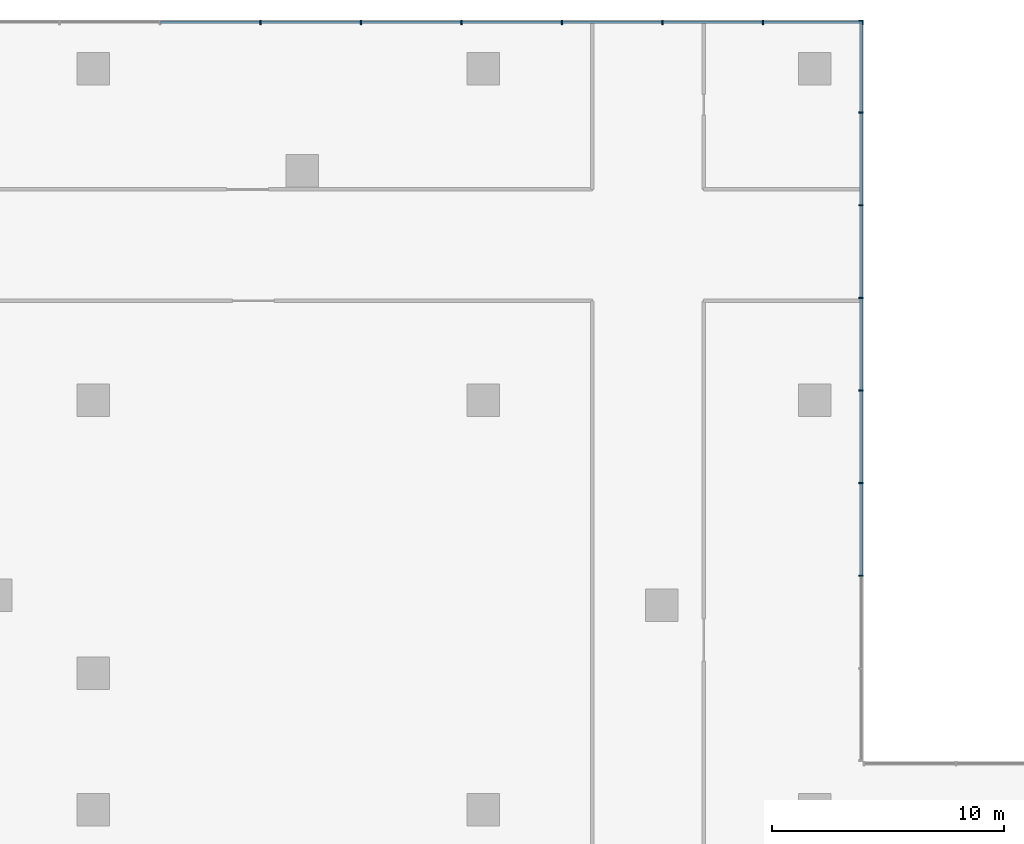
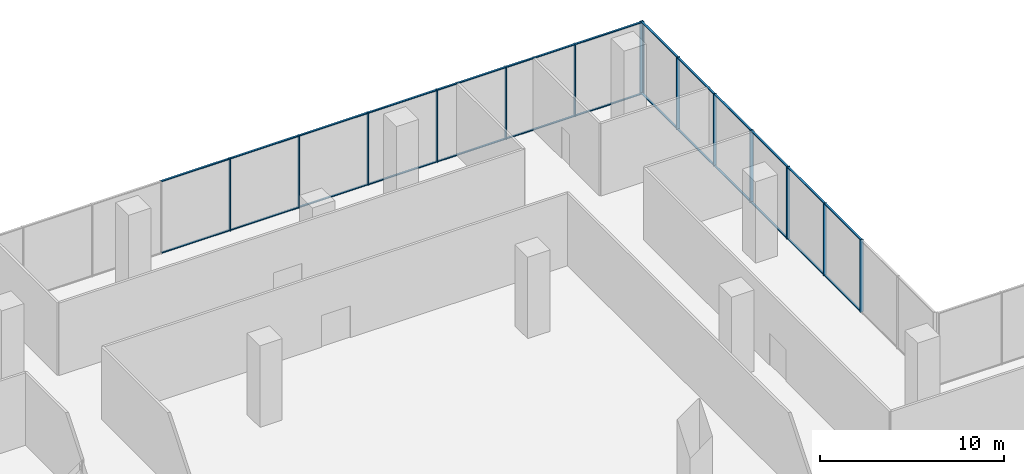
# One storey, part 10 of 22: 40 members, 2 elements without a shape of their own.
"""IFC4 building model written with IfcOpenShell, lengths in metres."""

import ifcopenshell
import ifcopenshell.guid

model = None  # the IFC model being written
_history = None  # IfcOwnerHistory: only IFC2X3 demands one
_inside = {}  # id of a spatial element -> (the spatial element, [elements in it])
_under = {}  # id of a project, library or spatial element -> (it, [spatial elements below it])
_declared = {}  # id of a project -> (the project, [libraries it declares])
_typed = {}  # id of a type object -> (the type object, [elements of that type])
_made_of = {}  # id of a material, layer set ... -> (it, [elements and type objects made of it])


def new_model(schema):
    """Start an empty IFC model of exactly this schema.

    Asked for "IFC4X3", IfcOpenShell would pick the latest addendum, in which some entities
    have other attributes; the version numbers below select the first issue.
    IFC2X3 requires an IfcOwnerHistory on every rooted entity: one is made here for all.
    """
    global model, _history
    if schema == "IFC4X3":
        model = ifcopenshell.file(schema_version=(4, 3, 0, 0))
    else:
        model = ifcopenshell.file(schema=schema)
    _inside.clear()
    _under.clear()
    _declared.clear()
    _typed.clear()
    _made_of.clear()
    _history = None
    if model.schema == "IFC2X3":
        org = make("IfcOrganization", Name="unknown")
        user = make(
            "IfcPersonAndOrganization",
            ThePerson=make("IfcPerson", FamilyName="unknown"),
            TheOrganization=org,
        )
        app = make(
            "IfcApplication",
            ApplicationDeveloper=org,
            Version="unknown",
            ApplicationFullName="unknown",
            ApplicationIdentifier="unknown",
        )
        _history = make(
            "IfcOwnerHistory",
            OwningUser=user,
            OwningApplication=app,
            ChangeAction="ADDED",
            CreationDate=0,
        )
    return model


def make(cls, **values):
    """One entity of the class cls with the attributes given. An attribute that is None is left unset."""
    return model.create_entity(
        cls, **{name: value for name, value in values.items() if value is not None}
    )


def rooted(cls, **values):
    """An entity with a GlobalId (a new one), such as an element, a storey or a relation."""
    return make(cls, GlobalId=ifcopenshell.guid.new(), OwnerHistory=_history, **values)


def si_unit(unit_type, name, prefix=None):
    """IfcSIUnit, for example si_unit("LENGTHUNIT", "METRE", prefix="MILLI")."""
    return make("IfcSIUnit", UnitType=unit_type, Prefix=prefix, Name=name)


def assignment(units):
    """IfcUnitAssignment: the units of a project."""
    return None if units is None else make("IfcUnitAssignment", Units=units)


def point(xyz):
    """IfcCartesianPoint."""
    return None if xyz is None else make("IfcCartesianPoint", Coordinates=xyz)


def direction(xyz):
    """IfcDirection."""
    return None if xyz is None else make("IfcDirection", DirectionRatios=xyz)


def frame(location, z_axis=None, x_axis=None):
    """IfcAxis2Placement3D, a coordinate frame: its origin and axes. An axis left out is left unset."""
    return make(
        "IfcAxis2Placement3D",
        Location=point(location),
        Axis=direction(z_axis),
        RefDirection=direction(x_axis),
    )


def frame_2d(location, x_axis=None):
    """IfcAxis2Placement2D, a coordinate frame in the plane: its origin and x axis."""
    return make(
        "IfcAxis2Placement2D", Location=point(location), RefDirection=direction(x_axis)
    )


def origin():
    """The frame at (0, 0, 0) with its axes left unset."""
    return frame((0.0, 0.0, 0.0))


def origin_2d():
    """The frame at (0, 0) in the plane with its x axis left unset."""
    return frame_2d((0.0, 0.0))


def place(relative_to, where):
    """IfcLocalPlacement: puts the frame where relative to a parent placement (None: the world)."""
    return make(
        "IfcLocalPlacement", PlacementRelTo=relative_to, RelativePlacement=where
    )


def context(
    kind, dimensions, precision=None, world=None, true_north=None, identifier=None
):
    """IfcGeometricRepresentationContext, for example the 3D "Model" context."""
    return make(
        "IfcGeometricRepresentationContext",
        ContextIdentifier=identifier,
        ContextType=kind,
        CoordinateSpaceDimension=dimensions,
        Precision=precision,
        WorldCoordinateSystem=world,
        TrueNorth=true_north,
    )


def subcontext(parent, identifier, kind, view, scale=None):
    """IfcGeometricRepresentationSubContext, for example "Body" below "Model"."""
    return make(
        "IfcGeometricRepresentationSubContext",
        ContextIdentifier=identifier,
        ContextType=kind,
        ParentContext=parent,
        TargetScale=scale,
        TargetView=view,
    )


def project(units=None, contexts=None):
    """IfcProject with its units and contexts."""
    return rooted(
        "IfcProject",
        Name="project",
        RepresentationContexts=contexts,
        UnitsInContext=assignment(units),
    )


def spatial(cls, under=None, at=None, **own):
    """A site, building, storey or space (cls), placed at a placement, below another one or the project."""
    s = rooted(cls, ObjectPlacement=at, **own)
    if under is not None:
        _under.setdefault(under.id(), (under, []))[1].append(s)
    return s


def profile(cls, at=None, kind="AREA", **sizes):
    """A parametric profile (cls). Its sizes go by their IFC names, for example OverallWidth=200.0."""
    return make(cls, ProfileType=kind, Position=at, **sizes)


def rectangle(**sizes):
    """IfcRectangleProfileDef."""
    return profile("IfcRectangleProfileDef", **sizes)


def extrude(swept, where, along, depth):
    """IfcExtrudedAreaSolid: the profile swept, set in the frame where, extruded along a direction by depth."""
    return make(
        "IfcExtrudedAreaSolid",
        SweptArea=swept,
        Position=where,
        ExtrudedDirection=direction(along),
        Depth=depth,
    )


def shape(context_of_items, identifier, shape_type, items):
    """IfcShapeRepresentation: the items that make up one representation, for example the "Body"."""
    return make(
        "IfcShapeRepresentation",
        ContextOfItems=context_of_items,
        RepresentationIdentifier=identifier,
        RepresentationType=shape_type,
        Items=items,
    )


def source(mapping_origin, context_of_items, identifier, shape_type, items):
    """IfcRepresentationMap: a shape defined once, which mapped items show again and again."""
    return make(
        "IfcRepresentationMap",
        MappingOrigin=mapping_origin,
        MappedRepresentation=shape(context_of_items, identifier, shape_type, items),
    )


def transform(
    local_origin,
    x_axis=None,
    y_axis=None,
    z_axis=None,
    scale=None,
    scale2=None,
    scale3=None,
    uniform=True,
):
    """IfcCartesianTransformationOperator3D, or its non-uniform kind. x_axis, y_axis, z_axis: its Axis1, 2, 3."""
    if uniform:
        return make(
            "IfcCartesianTransformationOperator3D",
            Axis1=direction(x_axis),
            Axis2=direction(y_axis),
            LocalOrigin=point(local_origin),
            Scale=scale,
            Axis3=direction(z_axis),
        )
    return make(
        "IfcCartesianTransformationOperator3DnonUniform",
        Axis1=direction(x_axis),
        Axis2=direction(y_axis),
        LocalOrigin=point(local_origin),
        Scale=scale,
        Axis3=direction(z_axis),
        Scale2=scale2,
        Scale3=scale3,
    )


def mapped(mapping_source, mapping_target):
    """IfcMappedItem: shows the shape of a source again, moved by a transform."""
    return make(
        "IfcMappedItem", MappingSource=mapping_source, MappingTarget=mapping_target
    )


def material(Name=None, Category=None):
    """IfcMaterial."""
    return make("IfcMaterial", Name=Name, Category=Category)


def layer(
    of_material, thickness, ventilated=None, Name=None, Category=None, Priority=None
):
    """IfcMaterialLayer: one layer of a wall or slab, of a material (None: an air gap)."""
    return make(
        "IfcMaterialLayer",
        Material=of_material,
        LayerThickness=thickness,
        IsVentilated=ventilated,
        Name=Name,
        Category=Category,
        Priority=Priority,
    )


def layer_set(layers, Name=None):
    """IfcMaterialLayerSet."""
    return make("IfcMaterialLayerSet", MaterialLayers=layers, LayerSetName=Name)


def material_profile(
    of_material, cross_section, Name=None, Category=None, Priority=None
):
    """IfcMaterialProfile: a cross section and its material."""
    return make(
        "IfcMaterialProfile",
        Name=Name,
        Material=of_material,
        Profile=cross_section,
        Priority=Priority,
        Category=Category,
    )


def profile_set(profiles, Name=None, composite=None):
    """IfcMaterialProfileSet."""
    return make(
        "IfcMaterialProfileSet",
        Name=Name,
        MaterialProfiles=profiles,
        CompositeProfile=composite,
    )


def made_of(thing, what):
    """Note that an element or type object is made of a material, layer set ...; save() writes the relation."""
    if what is not None:
        _made_of.setdefault(what.id(), (what, []))[1].append(thing)
    return thing


def type_object(cls, material=None, **own):
    """A type object (cls), such as IfcWallType, which elements share."""
    return made_of(rooted(cls, **own), material)


def element(
    cls,
    number,
    at=None,
    inside=None,
    cuts=None,
    type_object=None,
    material=None,
    context=None,
    identifier="Body",
    shape_type=None,
    held_by="IfcProductDefinitionShape",
    body=None,
    shapes=None,
    **own,
):
    """One element of the class cls, such as IfcWall. Its Tag is "e" and its number.

    at: its placement. inside: the storey or other place that contains it. cuts: it is an
    opening in that element (IfcRelVoidsElement). A single representation is given by context,
    identifier, shape_type and body (its items); several are given by shapes. held_by: the class
    of the entity that holds the representations. save() writes the other relations.
    """
    e = rooted(cls, Tag="e%d" % number, ObjectPlacement=at, **own)
    if body is not None:
        shapes = [shape(context, identifier, shape_type, body)]
    if shapes is not None:
        e.Representation = make(held_by, Representations=shapes)
    if inside is not None:
        _inside.setdefault(inside.id(), (inside, []))[1].append(e)
    if cuts is not None:
        rooted(
            "IfcRelVoidsElement", RelatingBuildingElement=cuts, RelatedOpeningElement=e
        )
    if type_object is not None:
        _typed.setdefault(type_object.id(), (type_object, []))[1].append(e)
    return made_of(e, material)


def aggregate(whole, parts):
    """IfcRelAggregates: a whole, such as a stair, and the parts it consists of."""
    return rooted("IfcRelAggregates", RelatingObject=whole, RelatedObjects=parts)


def save(model, path):
    """Write the relations noted so far, then the file.

    IfcRelAggregates (storeys below a building ...), IfcRelContainedInSpatialStructure (elements
    in a storey), IfcRelDefinesByType, IfcRelAssociatesMaterial and IfcRelDeclares: one each for
    every whole, place, type object, material and project.
    """
    for whole, parts in _under.values():
        aggregate(whole, parts)
    for where, things in _inside.values():
        rooted(
            "IfcRelContainedInSpatialStructure",
            RelatedElements=things,
            RelatingStructure=where,
        )
    for kind, things in _typed.values():
        rooted("IfcRelDefinesByType", RelatedObjects=things, RelatingType=kind)
    for what, things in _made_of.values():
        rooted("IfcRelAssociatesMaterial", RelatedObjects=things, RelatingMaterial=what)
    for by, libraries in _declared.values():
        rooted("IfcRelDeclares", RelatingContext=by, RelatedDefinitions=libraries)
    model.write(path)


model = new_model("IFC4")

# Units and contexts
model_context = context("Model", 3, precision=1e-05, world=origin(), true_north=direction((0.0, 1.0)))
body_context = subcontext(model_context, "Body", "Model", "MODEL_VIEW")
ifc_project = project(units=[si_unit("LENGTHUNIT", "METRE"), si_unit("AREAUNIT", "SQUARE_METRE"), si_unit("VOLUMEUNIT", "CUBIC_METRE"), si_unit("PLANEANGLEUNIT", "RADIAN"), si_unit("MASSUNIT", "GRAM", prefix="KILO")], contexts=[model_context])

# Site, building, storey
site_placement = place(None, origin())
site = spatial("IfcSite", under=ifc_project, at=site_placement, CompositionType="ELEMENT")
building_placement = place(site_placement, origin())
building = spatial("IfcBuilding", under=site, at=building_placement, Name="Aurelian Terraces", CompositionType="ELEMENT")
storey_placement = place(building_placement, frame((0.0, 0.0, 7.5)))
storey = spatial("IfcBuildingStorey", under=building, at=storey_placement, Name="L01", CompositionType="ELEMENT", Elevation=7.5)

# Curtain wall, members
ifc_material_1 = material(Name="Anodised aluminium and clear glazing", Category="aluminium")
ifc_layer = layer(ifc_material_1, 0.2)
ifc_layer_set = layer_set([ifc_layer], Name="Podium shopfront curtain wall")
curtain_wall_type = type_object("IfcCurtainWallType", Name="Podium shopfront curtain wall", PredefinedType="NOTDEFINED", material=ifc_layer_set)
curtain_wall_1_placement = place(storey_placement, origin())
curtain_wall_1 = element("IfcCurtainWall", 1, at=curtain_wall_1_placement, inside=storey, type_object=curtain_wall_type, Name="Podium shopfront L01 F04.1", PredefinedType="NOTDEFINED")
ifc_material_2 = material(Name="Anodised aluminium", Category="aluminium")
ifc_material_profile_1 = material_profile(ifc_material_2, rectangle(XDim=0.12, YDim=0.06, at=origin_2d()))
ifc_profile_set_1 = profile_set([ifc_material_profile_1], Name="Anodised aluminium")
member_type_1 = type_object("IfcMemberType", Name="Podium shopfront transom", PredefinedType="USERDEFINED", material=ifc_profile_set_1)
shared_shape_1 = source(origin(), body_context, "Body", "SweptSolid", [
    extrude(rectangle(XDim=0.12, YDim=0.06, at=origin_2d()), origin(), (0.0, 0.0, 1.0), 3.93),
])
member_1_placement = place(storey_placement, frame((54.08, 62.19, 0.03), z_axis=(0.0, 1.0, 0.0), x_axis=(-1.0, 0.0, 0.0)))
member_1 = element("IfcMember", 2, at=member_1_placement, type_object=member_type_1, Name="CW1 transom 3.1", ObjectType="TRANSOM", PredefinedType="USERDEFINED", context=body_context, shape_type="MappedRepresentation", body=[
    mapped(shared_shape_1, transform((0.0, 0.0, 0.0), scale=1.0)),
])
member_2_placement = place(storey_placement, frame((54.08, 62.19, 4.77), z_axis=(0.0, 1.0, 0.0), x_axis=(-1.0, 0.0, 0.0)))
member_2 = element("IfcMember", 3, at=member_2_placement, type_object=member_type_1, Name="CW1 transom 3.2", ObjectType="TRANSOM", PredefinedType="USERDEFINED", context=body_context, shape_type="MappedRepresentation", body=[
    mapped(shared_shape_1, transform((0.0, 0.0, 0.0), scale=1.0)),
])
member_3_placement = place(storey_placement, frame((54.08, 66.18, 0.03), z_axis=(0.0, 1.0, 0.0), x_axis=(-1.0, 0.0, 0.0)))
member_3 = element("IfcMember", 4, at=member_3_placement, type_object=member_type_1, Name="CW1 transom 4.1", ObjectType="TRANSOM", PredefinedType="USERDEFINED", context=body_context, shape_type="MappedRepresentation", body=[
    mapped(shared_shape_1, transform((0.0, 0.0, 0.0), scale=1.0)),
])
member_4_placement = place(storey_placement, frame((54.08, 66.18, 4.77), z_axis=(0.0, 1.0, 0.0), x_axis=(-1.0, 0.0, 0.0)))
member_4 = element("IfcMember", 5, at=member_4_placement, type_object=member_type_1, Name="CW1 transom 4.2", ObjectType="TRANSOM", PredefinedType="USERDEFINED", context=body_context, shape_type="MappedRepresentation", body=[
    mapped(shared_shape_1, transform((0.0, 0.0, 0.0), scale=1.0)),
])
member_5_placement = place(storey_placement, frame((54.08, 70.17, 0.03), z_axis=(0.0, 1.0, 0.0), x_axis=(-1.0, 0.0, 0.0)))
member_5 = element("IfcMember", 6, at=member_5_placement, type_object=member_type_1, Name="CW1 transom 5.1", ObjectType="TRANSOM", PredefinedType="USERDEFINED", context=body_context, shape_type="MappedRepresentation", body=[
    mapped(shared_shape_1, transform((0.0, 0.0, 0.0), scale=1.0)),
])
member_6_placement = place(storey_placement, frame((54.08, 70.17, 4.77), z_axis=(0.0, 1.0, 0.0), x_axis=(-1.0, 0.0, 0.0)))
member_6 = element("IfcMember", 7, at=member_6_placement, type_object=member_type_1, Name="CW1 transom 5.2", ObjectType="TRANSOM", PredefinedType="USERDEFINED", context=body_context, shape_type="MappedRepresentation", body=[
    mapped(shared_shape_1, transform((0.0, 0.0, 0.0), scale=1.0)),
])
member_7_placement = place(storey_placement, frame((54.08, 74.16, 0.03), z_axis=(0.0, 1.0, 0.0), x_axis=(-1.0, 0.0, 0.0)))
member_7 = element("IfcMember", 8, at=member_7_placement, type_object=member_type_1, Name="CW1 transom 6.1", ObjectType="TRANSOM", PredefinedType="USERDEFINED", context=body_context, shape_type="MappedRepresentation", body=[
    mapped(shared_shape_1, transform((0.0, 0.0, 0.0), scale=1.0)),
])
member_8_placement = place(storey_placement, frame((54.08, 74.16, 4.77), z_axis=(0.0, 1.0, 0.0), x_axis=(-1.0, 0.0, 0.0)))
member_8 = element("IfcMember", 9, at=member_8_placement, type_object=member_type_1, Name="CW1 transom 6.2", ObjectType="TRANSOM", PredefinedType="USERDEFINED", context=body_context, shape_type="MappedRepresentation", body=[
    mapped(shared_shape_1, transform((0.0, 0.0, 0.0), scale=1.0)),
])
member_9_placement = place(storey_placement, frame((54.08, 78.15, 0.03), z_axis=(0.0, 1.0, 0.0), x_axis=(-1.0, 0.0, 0.0)))
member_9 = element("IfcMember", 10, at=member_9_placement, type_object=member_type_1, Name="CW1 transom 7.1", ObjectType="TRANSOM", PredefinedType="USERDEFINED", context=body_context, shape_type="MappedRepresentation", body=[
    mapped(shared_shape_1, transform((0.0, 0.0, 0.0), scale=1.0)),
])
member_10_placement = place(storey_placement, frame((54.08, 78.15, 4.77), z_axis=(0.0, 1.0, 0.0), x_axis=(-1.0, 0.0, 0.0)))
member_10 = element("IfcMember", 11, at=member_10_placement, type_object=member_type_1, Name="CW1 transom 7.2", ObjectType="TRANSOM", PredefinedType="USERDEFINED", context=body_context, shape_type="MappedRepresentation", body=[
    mapped(shared_shape_1, transform((0.0, 0.0, 0.0), scale=1.0)),
])
ifc_material_profile_2 = material_profile(ifc_material_2, rectangle(XDim=0.2, YDim=0.06, at=origin_2d()))
ifc_profile_set_2 = profile_set([ifc_material_profile_2], Name="Anodised aluminium")
member_type_2 = type_object("IfcMemberType", Name="Podium shopfront mullion", PredefinedType="MULLION", material=ifc_profile_set_2)
shared_shape_2 = source(origin(), body_context, "Body", "SweptSolid", [
    extrude(rectangle(XDim=0.2, YDim=0.06, at=origin_2d()), origin(), (0.0, 0.0, 1.0), 4.8),
])
member_11_placement = place(storey_placement, frame((54.08, 62.16, 0.0), z_axis=(0.0, 0.0, 1.0), x_axis=(-1.0, 0.0, 0.0)))
member_11 = element("IfcMember", 12, at=member_11_placement, type_object=member_type_2, Name="CW1 mullion 3", PredefinedType="MULLION", context=body_context, shape_type="MappedRepresentation", body=[
    mapped(shared_shape_2, transform((0.0, 0.0, 0.0), scale=1.0)),
])
member_12_placement = place(storey_placement, frame((54.08, 66.15, 0.0), z_axis=(0.0, 0.0, 1.0), x_axis=(-1.0, 0.0, 0.0)))
member_12 = element("IfcMember", 13, at=member_12_placement, type_object=member_type_2, Name="CW1 mullion 4", PredefinedType="MULLION", context=body_context, shape_type="MappedRepresentation", body=[
    mapped(shared_shape_2, transform((0.0, 0.0, 0.0), scale=1.0)),
])
member_13_placement = place(storey_placement, frame((54.08, 70.14, 0.0), z_axis=(0.0, 0.0, 1.0), x_axis=(-1.0, 0.0, 0.0)))
member_13 = element("IfcMember", 14, at=member_13_placement, type_object=member_type_2, Name="CW1 mullion 5", PredefinedType="MULLION", context=body_context, shape_type="MappedRepresentation", body=[
    mapped(shared_shape_2, transform((0.0, 0.0, 0.0), scale=1.0)),
])
member_14_placement = place(storey_placement, frame((54.08, 74.13, 0.0), z_axis=(0.0, 0.0, 1.0), x_axis=(-1.0, 0.0, 0.0)))
member_14 = element("IfcMember", 15, at=member_14_placement, type_object=member_type_2, Name="CW1 mullion 6", PredefinedType="MULLION", context=body_context, shape_type="MappedRepresentation", body=[
    mapped(shared_shape_2, transform((0.0, 0.0, 0.0), scale=1.0)),
])
member_15_placement = place(storey_placement, frame((54.08, 78.12, 0.0), z_axis=(0.0, 0.0, 1.0), x_axis=(-1.0, 0.0, 0.0)))
member_15 = element("IfcMember", 16, at=member_15_placement, type_object=member_type_2, Name="CW1 mullion 7", PredefinedType="MULLION", context=body_context, shape_type="MappedRepresentation", body=[
    mapped(shared_shape_2, transform((0.0, 0.0, 0.0), scale=1.0)),
])
member_16_placement = place(storey_placement, frame((54.08, 82.11, 0.0), z_axis=(0.0, 0.0, 1.0), x_axis=(-1.0, 0.0, 0.0)))
member_16 = element("IfcMember", 17, at=member_16_placement, type_object=member_type_2, Name="CW1 mullion 8", PredefinedType="MULLION", context=body_context, shape_type="MappedRepresentation", body=[
    mapped(shared_shape_2, transform((0.0, 0.0, 0.0), scale=1.0)),
])
member_17_placement = place(storey_placement, frame((54.08, 86.07, 0.0), z_axis=(0.0, 0.0, 1.0), x_axis=(-1.0, 0.0, 0.0)))
member_17 = element("IfcMember", 18, at=member_17_placement, type_object=member_type_2, Name="CW1 mullion 9", PredefinedType="MULLION", context=body_context, shape_type="MappedRepresentation", body=[
    mapped(shared_shape_2, transform((0.0, 0.0, 0.0), scale=1.0)),
])

curtain_wall_2_placement = place(storey_placement, origin())
curtain_wall_2 = element("IfcCurtainWall", 19, at=curtain_wall_2_placement, inside=storey, type_object=curtain_wall_type, Name="Podium shopfront L01 F05.1", PredefinedType="NOTDEFINED")
member_18_placement = place(storey_placement, frame((54.15, 86.0, 0.0), z_axis=(0.0, 0.0, 1.0), x_axis=(0.0, -1.0, 0.0)))
member_18 = element("IfcMember", 20, at=member_18_placement, type_object=member_type_2, Name="CW1 mullion 1", PredefinedType="MULLION", context=body_context, shape_type="MappedRepresentation", body=[
    mapped(shared_shape_2, transform((0.0, 0.0, 0.0), scale=1.0)),
])
member_19_placement = place(storey_placement, frame((49.8508, 86.0, 0.0), z_axis=(0.0, 0.0, 1.0), x_axis=(0.0, -1.0, 0.0)))
member_19 = element("IfcMember", 21, at=member_19_placement, type_object=member_type_2, Name="CW1 mullion 2", PredefinedType="MULLION", context=body_context, shape_type="MappedRepresentation", body=[
    mapped(shared_shape_2, transform((0.0, 0.0, 0.0), scale=1.0)),
])
member_20_placement = place(storey_placement, frame((45.5215, 86.0, 0.0), z_axis=(0.0, 0.0, 1.0), x_axis=(0.0, -1.0, 0.0)))
member_20 = element("IfcMember", 22, at=member_20_placement, type_object=member_type_2, Name="CW1 mullion 3", PredefinedType="MULLION", context=body_context, shape_type="MappedRepresentation", body=[
    mapped(shared_shape_2, transform((0.0, 0.0, 0.0), scale=1.0)),
])
member_21_placement = place(storey_placement, frame((41.1923, 86.0, 0.0), z_axis=(0.0, 0.0, 1.0), x_axis=(0.0, -1.0, 0.0)))
member_21 = element("IfcMember", 23, at=member_21_placement, type_object=member_type_2, Name="CW1 mullion 4", PredefinedType="MULLION", context=body_context, shape_type="MappedRepresentation", body=[
    mapped(shared_shape_2, transform((0.0, 0.0, 0.0), scale=1.0)),
])
member_22_placement = place(storey_placement, frame((36.8631, 86.0, 0.0), z_axis=(0.0, 0.0, 1.0), x_axis=(0.0, -1.0, 0.0)))
member_22 = element("IfcMember", 24, at=member_22_placement, type_object=member_type_2, Name="CW1 mullion 5", PredefinedType="MULLION", context=body_context, shape_type="MappedRepresentation", body=[
    mapped(shared_shape_2, transform((0.0, 0.0, 0.0), scale=1.0)),
])
member_23_placement = place(storey_placement, frame((32.5338, 86.0, 0.0), z_axis=(0.0, 0.0, 1.0), x_axis=(0.0, -1.0, 0.0)))
member_23 = element("IfcMember", 25, at=member_23_placement, type_object=member_type_2, Name="CW1 mullion 6", PredefinedType="MULLION", context=body_context, shape_type="MappedRepresentation", body=[
    mapped(shared_shape_2, transform((0.0, 0.0, 0.0), scale=1.0)),
])
member_24_placement = place(storey_placement, frame((28.2046, 86.0, 0.0), z_axis=(0.0, 0.0, 1.0), x_axis=(0.0, -1.0, 0.0)))
member_24 = element("IfcMember", 26, at=member_24_placement, type_object=member_type_2, Name="CW1 mullion 7", PredefinedType="MULLION", context=body_context, shape_type="MappedRepresentation", body=[
    mapped(shared_shape_2, transform((0.0, 0.0, 0.0), scale=1.0)),
])
shared_shape_3 = source(origin(), body_context, "Body", "SweptSolid", [
    extrude(rectangle(XDim=0.12, YDim=0.06, at=origin_2d()), origin(), (0.0, 0.0, 1.0), 4.2392),
])
member_25_placement = place(storey_placement, frame((54.12, 86.0, 0.03), z_axis=(-1.0, 0.0, 0.0), x_axis=(0.0, -1.0, 0.0)))
member_25 = element("IfcMember", 27, at=member_25_placement, type_object=member_type_1, Name="CW1 transom 1.1", ObjectType="TRANSOM", PredefinedType="USERDEFINED", context=body_context, shape_type="MappedRepresentation", body=[
    mapped(shared_shape_3, transform((0.0, 0.0, 0.0), scale=1.0)),
])
member_26_placement = place(storey_placement, frame((54.12, 86.0, 4.77), z_axis=(-1.0, 0.0, 0.0), x_axis=(0.0, -1.0, 0.0)))
member_26 = element("IfcMember", 28, at=member_26_placement, type_object=member_type_1, Name="CW1 transom 1.2", ObjectType="TRANSOM", PredefinedType="USERDEFINED", context=body_context, shape_type="MappedRepresentation", body=[
    mapped(shared_shape_3, transform((0.0, 0.0, 0.0), scale=1.0)),
])
shared_shape_4 = source(origin(), body_context, "Body", "SweptSolid", [
    extrude(rectangle(XDim=0.12, YDim=0.06, at=origin_2d()), origin(), (0.0, 0.0, 1.0), 4.2693),
])
member_27_placement = place(storey_placement, frame((49.8208, 86.0, 0.03), z_axis=(-1.0, 0.0, 0.0), x_axis=(0.0, -1.0, 0.0)))
member_27 = element("IfcMember", 29, at=member_27_placement, type_object=member_type_1, Name="CW1 transom 2.1", ObjectType="TRANSOM", PredefinedType="USERDEFINED", context=body_context, shape_type="MappedRepresentation", body=[
    mapped(shared_shape_4, transform((0.0, 0.0, 0.0), scale=1.0)),
])
member_28_placement = place(storey_placement, frame((49.8208, 86.0, 4.77), z_axis=(-1.0, 0.0, 0.0), x_axis=(0.0, -1.0, 0.0)))
member_28 = element("IfcMember", 30, at=member_28_placement, type_object=member_type_1, Name="CW1 transom 2.2", ObjectType="TRANSOM", PredefinedType="USERDEFINED", context=body_context, shape_type="MappedRepresentation", body=[
    mapped(shared_shape_4, transform((0.0, 0.0, 0.0), scale=1.0)),
])
member_29_placement = place(storey_placement, frame((36.8331, 86.0, 0.03), z_axis=(-1.0, 0.0, 0.0), x_axis=(0.0, -1.0, 0.0)))
member_29 = element("IfcMember", 31, at=member_29_placement, type_object=member_type_1, Name="CW1 transom 5.1", ObjectType="TRANSOM", PredefinedType="USERDEFINED", context=body_context, shape_type="MappedRepresentation", body=[
    mapped(shared_shape_4, transform((0.0, 0.0, 0.0), scale=1.0)),
])
member_30_placement = place(storey_placement, frame((36.8331, 86.0, 4.77), z_axis=(-1.0, 0.0, 0.0), x_axis=(0.0, -1.0, 0.0)))
member_30 = element("IfcMember", 32, at=member_30_placement, type_object=member_type_1, Name="CW1 transom 5.2", ObjectType="TRANSOM", PredefinedType="USERDEFINED", context=body_context, shape_type="MappedRepresentation", body=[
    mapped(shared_shape_4, transform((0.0, 0.0, 0.0), scale=1.0)),
])
shared_shape_5 = source(origin(), body_context, "Body", "SweptSolid", [
    extrude(rectangle(XDim=0.12, YDim=0.06, at=origin_2d()), origin(), (0.0, 0.0, 1.0), 4.2692),
])
member_31_placement = place(storey_placement, frame((45.4915, 86.0, 0.03), z_axis=(-1.0, 0.0, 0.0), x_axis=(0.0, -1.0, 0.0)))
member_31 = element("IfcMember", 33, at=member_31_placement, type_object=member_type_1, Name="CW1 transom 3.1", ObjectType="TRANSOM", PredefinedType="USERDEFINED", context=body_context, shape_type="MappedRepresentation", body=[
    mapped(shared_shape_5, transform((0.0, 0.0, 0.0), scale=1.0)),
])
member_32_placement = place(storey_placement, frame((45.4915, 86.0, 4.77), z_axis=(-1.0, 0.0, 0.0), x_axis=(0.0, -1.0, 0.0)))
member_32 = element("IfcMember", 34, at=member_32_placement, type_object=member_type_1, Name="CW1 transom 3.2", ObjectType="TRANSOM", PredefinedType="USERDEFINED", context=body_context, shape_type="MappedRepresentation", body=[
    mapped(shared_shape_5, transform((0.0, 0.0, 0.0), scale=1.0)),
])
member_33_placement = place(storey_placement, frame((41.1623, 86.0, 0.03), z_axis=(-1.0, 0.0, 0.0), x_axis=(0.0, -1.0, 0.0)))
member_33 = element("IfcMember", 35, at=member_33_placement, type_object=member_type_1, Name="CW1 transom 4.1", ObjectType="TRANSOM", PredefinedType="USERDEFINED", context=body_context, shape_type="MappedRepresentation", body=[
    mapped(shared_shape_5, transform((0.0, 0.0, 0.0), scale=1.0)),
])
member_34_placement = place(storey_placement, frame((41.1623, 86.0, 4.77), z_axis=(-1.0, 0.0, 0.0), x_axis=(0.0, -1.0, 0.0)))
member_34 = element("IfcMember", 36, at=member_34_placement, type_object=member_type_1, Name="CW1 transom 4.2", ObjectType="TRANSOM", PredefinedType="USERDEFINED", context=body_context, shape_type="MappedRepresentation", body=[
    mapped(shared_shape_5, transform((0.0, 0.0, 0.0), scale=1.0)),
])
member_35_placement = place(storey_placement, frame((32.5038, 86.0, 0.03), z_axis=(-1.0, 0.0, 0.0), x_axis=(0.0, -1.0, 0.0)))
member_35 = element("IfcMember", 37, at=member_35_placement, type_object=member_type_1, Name="CW1 transom 6.1", ObjectType="TRANSOM", PredefinedType="USERDEFINED", context=body_context, shape_type="MappedRepresentation", body=[
    mapped(shared_shape_5, transform((0.0, 0.0, 0.0), scale=1.0)),
])
member_36_placement = place(storey_placement, frame((32.5038, 86.0, 4.77), z_axis=(-1.0, 0.0, 0.0), x_axis=(0.0, -1.0, 0.0)))
member_36 = element("IfcMember", 38, at=member_36_placement, type_object=member_type_1, Name="CW1 transom 6.2", ObjectType="TRANSOM", PredefinedType="USERDEFINED", context=body_context, shape_type="MappedRepresentation", body=[
    mapped(shared_shape_5, transform((0.0, 0.0, 0.0), scale=1.0)),
])
member_37_placement = place(storey_placement, frame((28.1746, 86.0, 0.03), z_axis=(-1.0, 0.0, 0.0), x_axis=(0.0, -1.0, 0.0)))
member_37 = element("IfcMember", 39, at=member_37_placement, type_object=member_type_1, Name="CW1 transom 7.1", ObjectType="TRANSOM", PredefinedType="USERDEFINED", context=body_context, shape_type="MappedRepresentation", body=[
    mapped(shared_shape_5, transform((0.0, 0.0, 0.0), scale=1.0)),
])
member_38_placement = place(storey_placement, frame((28.1746, 86.0, 4.77), z_axis=(-1.0, 0.0, 0.0), x_axis=(0.0, -1.0, 0.0)))
member_38 = element("IfcMember", 40, at=member_38_placement, type_object=member_type_1, Name="CW1 transom 7.2", ObjectType="TRANSOM", PredefinedType="USERDEFINED", context=body_context, shape_type="MappedRepresentation", body=[
    mapped(shared_shape_5, transform((0.0, 0.0, 0.0), scale=1.0)),
])
aggregate(curtain_wall_2, [member_18, member_19, member_20, member_21, member_22, member_23, member_24, member_25, member_26, member_27, member_28, member_31, member_32, member_33, member_34, member_29, member_30, member_35, member_36, member_37, member_38])

# Member
shared_shape_6 = source(origin(), body_context, "Body", "SweptSolid", [
    extrude(rectangle(XDim=0.12, YDim=0.06, at=origin_2d()), origin(), (0.0, 0.0, 1.0), 3.9),
])
member_39_placement = place(storey_placement, frame((54.08, 82.14, 0.03), z_axis=(0.0, 1.0, 0.0), x_axis=(-1.0, 0.0, 0.0)))
member_39 = element("IfcMember", 41, at=member_39_placement, type_object=member_type_1, Name="CW1 transom 8.1", ObjectType="TRANSOM", PredefinedType="USERDEFINED", context=body_context, shape_type="MappedRepresentation", body=[
    mapped(shared_shape_6, transform((0.0, 0.0, 0.0), scale=1.0)),
])

member_40_placement = place(storey_placement, frame((54.08, 82.14, 4.77), z_axis=(0.0, 1.0, 0.0), x_axis=(-1.0, 0.0, 0.0)))
member_40 = element("IfcMember", 42, at=member_40_placement, type_object=member_type_1, Name="CW1 transom 8.2", ObjectType="TRANSOM", PredefinedType="USERDEFINED", context=body_context, shape_type="MappedRepresentation", body=[
    mapped(shared_shape_6, transform((0.0, 0.0, 0.0), scale=1.0)),
])

aggregate(curtain_wall_1, [member_11, member_12, member_13, member_14, member_15, member_16, member_17, member_1, member_2, member_3, member_4, member_5, member_6, member_7, member_8, member_9, member_10, member_39, member_40])

save(model, "model.ifc")
